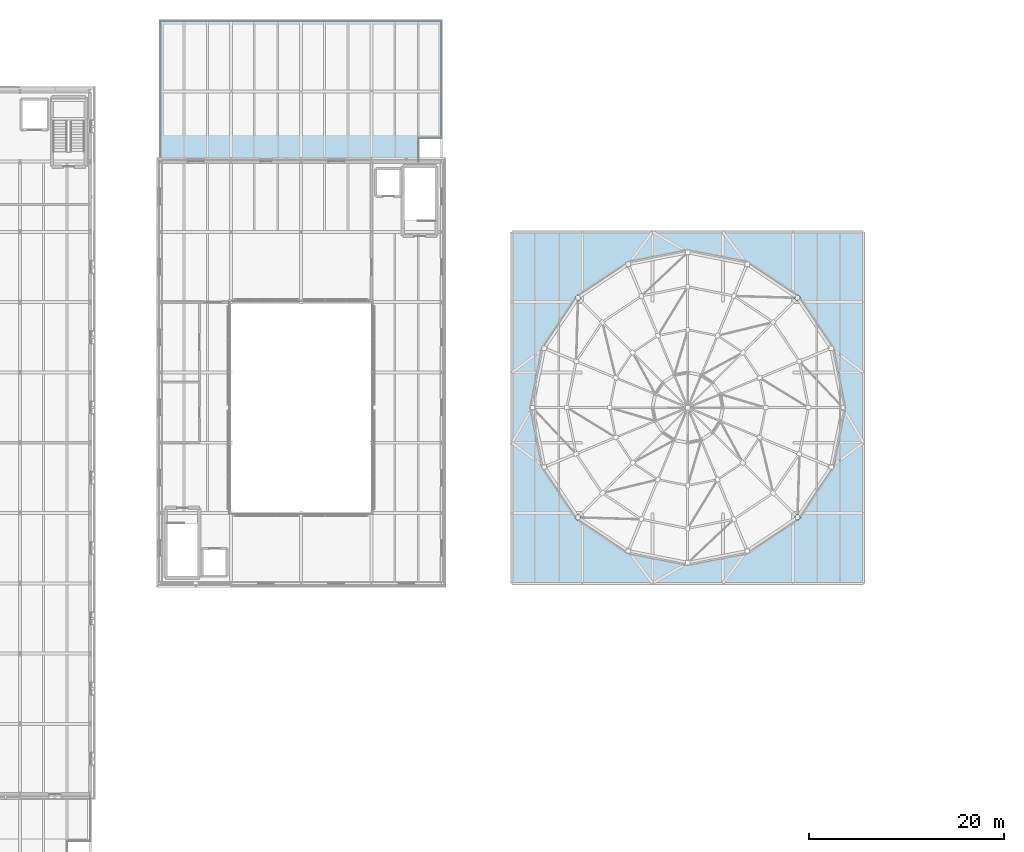
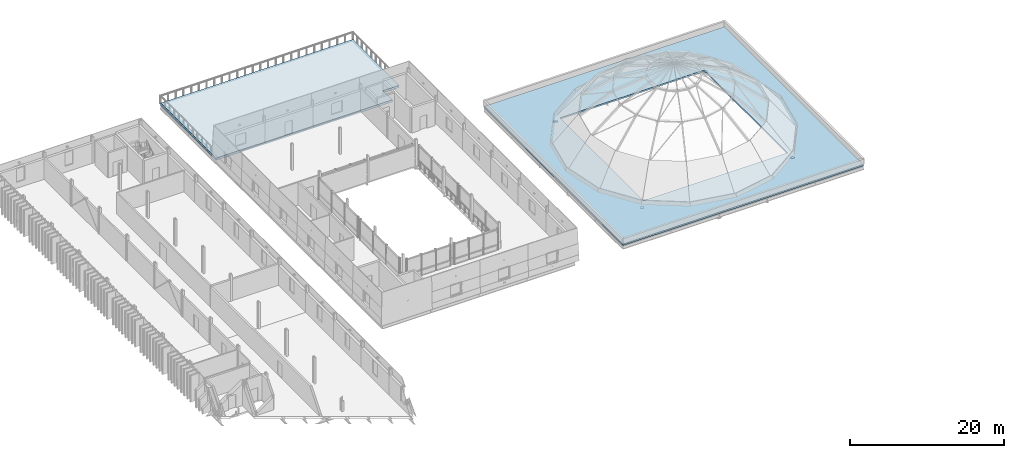
# One storey, part 31 of 66: 4 plates, 2 slabs.
"""IFC4 building model written with IfcOpenShell, lengths in metres."""

from ifc_helpers import new_model, si_unit, direction, frame, origin, origin_2d, place, context, subcontext, project, spatial, polyline, rectangle, outline, extrude, material, layer, layer_set, type_object, element, save


model = new_model("IFC4")

# Units and contexts
model_context = context("Model", 3, precision=1e-05, world=origin(), true_north=direction((0.0, 1.0)))
body_context = subcontext(model_context, "Body", "Model", "MODEL_VIEW")
ifc_project = project(units=[si_unit("LENGTHUNIT", "METRE"), si_unit("AREAUNIT", "SQUARE_METRE"), si_unit("VOLUMEUNIT", "CUBIC_METRE"), si_unit("PLANEANGLEUNIT", "RADIAN"), si_unit("MASSUNIT", "GRAM", prefix="KILO")], contexts=[model_context])

# Site, building, storey
site_placement = place(None, origin())
site = spatial("IfcSite", under=ifc_project, at=site_placement, CompositionType="ELEMENT")
building_placement = place(site_placement, origin())
building = spatial("IfcBuilding", under=site, at=building_placement, Name="Narikvali Park Central Library", CompositionType="ELEMENT")
storey_placement = place(building_placement, frame((0.0, 0.0, 18.60009765625)))
storey = spatial("IfcBuildingStorey", under=building, at=storey_placement, Name="L04", CompositionType="ELEMENT", Elevation=18.60009765625)

# Plates
ifc_material_1 = material(Name="Steel S355", Category="steel")
ifc_layer_1 = layer(ifc_material_1, 0.02001953125, Name="Steel S355")
ifc_layer_set_1 = layer_set([ifc_layer_1], Name="Steel S355")
plate_type = type_object("IfcPlateType", Name="Dome Ring Node Gusset Plate 20", PredefinedType="SHEET", material=ifc_layer_set_1)
for number, where, z_axis, x_axis, name in (
    (1, (94.04296875, 86.843017578125, -0.66015625), (0.0, 0.0, 1.0), (0.707106781187, 0.707106781187, 0.0), "Dome Ring Node Plate ND-03"),
    (2, (71.556884765625, 86.843017578125, -0.66015625), (0.0, 0.0, 1.0), (-0.707106781187, 0.707106781187, 0.0), "Dome Ring Node Plate ND-07"),
    (3, (71.556884765625, 64.35693359375, -0.66015625), (0.0, 0.0, 1.0), (-0.707106781187, -0.707106781187, 0.0), "Dome Ring Node Plate ND-11"),
    (4, (94.04296875, 64.35693359375, -0.66015625), (0.0, 0.0, 1.0), (0.707106781187, -0.707106781187, 0.0), "Dome Ring Node Plate ND-15"),
):
    element("IfcPlate", number, at=place(storey_placement, frame(where, z_axis=z_axis, x_axis=x_axis)), inside=storey, type_object=plate_type, Name=name, PredefinedType="SHEET", context=body_context, shape_type="SweptSolid", body=[
        extrude(rectangle(XDim=0.550048828125, YDim=0.449951171875, at=origin_2d()), origin(), (0.0, 0.0, 1.0), 0.02001953125),
    ])

# Slabs
ifc_material_2 = material(Name="Concrete C35/45", Category="concrete")
ifc_layer_2 = layer(ifc_material_2, 0.239990234375, Name="Concrete C35/45")
ifc_layer_set_2 = layer_set([ifc_layer_2], Name="Concrete C35/45")
slab_type_1 = type_object("IfcSlabType", Name="Flat Acoustic Roof Slab 240", PredefinedType="ROOF", material=ifc_layer_set_2)
slab_1_placement = place(storey_placement, frame((0.0, 0.0, -0.239990234375)))
element("IfcSlab", 5, at=slab_1_placement, inside=storey, type_object=slab_type_1, Name="V1 L04 Structural Slab", PredefinedType="ROOF", context=body_context, shape_type="SweptSolid", body=[
    extrude(outline(polyline([(64.800048828125, 57.60009765625), (100.800048828125, 57.60009765625), (100.800048828125, 93.60009765625), (64.800048828125, 93.60009765625), (64.800048828125, 57.60009765625)]), holes=[polyline([(72.0, 64.800048828125), (93.60009765625, 64.800048828125), (93.60009765625, 86.39990234375), (72.0, 86.39990234375), (72.0, 64.800048828125)])]), origin(), (0.0, 0.0, 1.0), 0.239990234375),
])
ifc_layer_3 = layer(ifc_material_2, 0.340087890625, Name="Concrete C35/45")
ifc_layer_set_3 = layer_set([ifc_layer_3], Name="Concrete C35/45")
slab_type_2 = type_object("IfcSlabType", Name="Planted Roof Garden Structural Deck 340", PredefinedType="ROOF", material=ifc_layer_set_3)
slab_2_placement = place(storey_placement, frame((0.0, 0.0, -0.340087890625)))
element("IfcSlab", 6, at=slab_2_placement, inside=storey, type_object=slab_type_2, Name="V4 L04 Planted Roof Garden Deck", PredefinedType="ROOF", context=body_context, shape_type="SweptSolid", body=[
    extrude(outline(polyline([(28.800048828125, 100.800048828125), (55.199951171875, 100.800048828125), (55.199951171875, 103.199951171875), (57.60009765625, 103.199951171875), (57.60009765625, 115.199951171875), (28.800048828125, 115.199951171875), (28.800048828125, 100.800048828125)])), origin(), (0.0, 0.0, 1.0), 0.340087890625),
])

save(model, "model.ifc")
